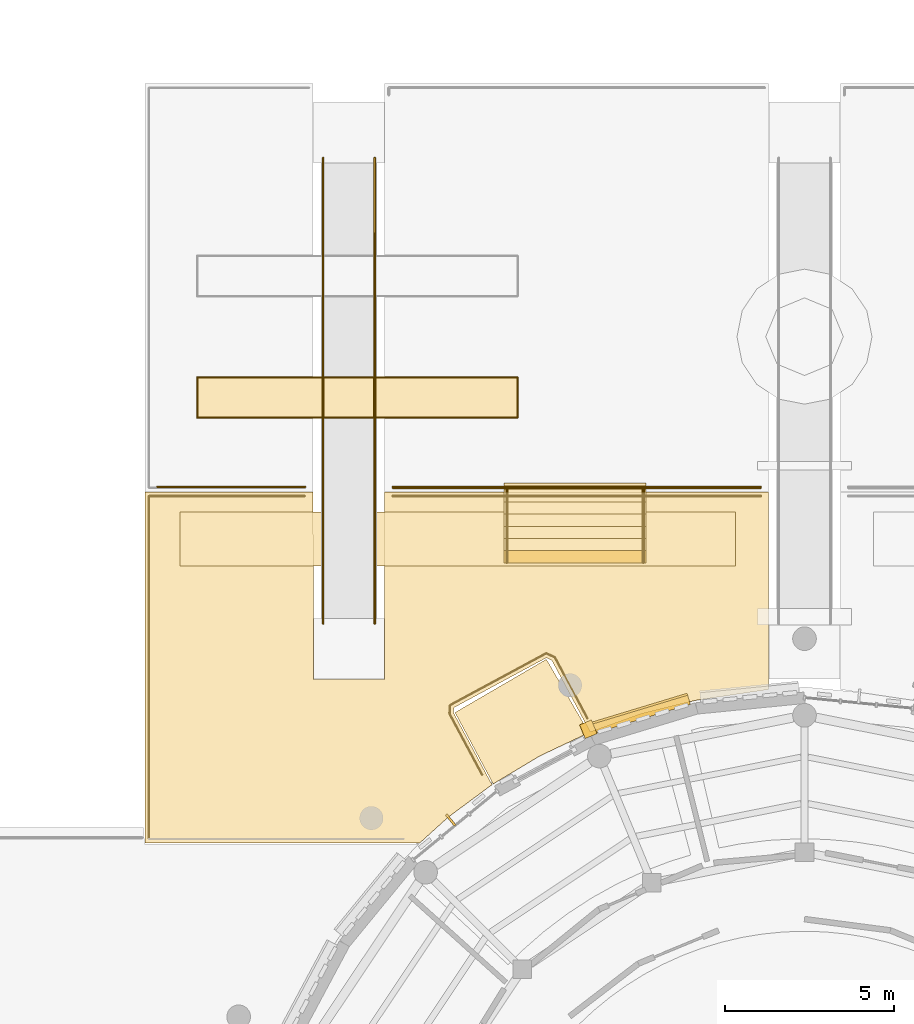
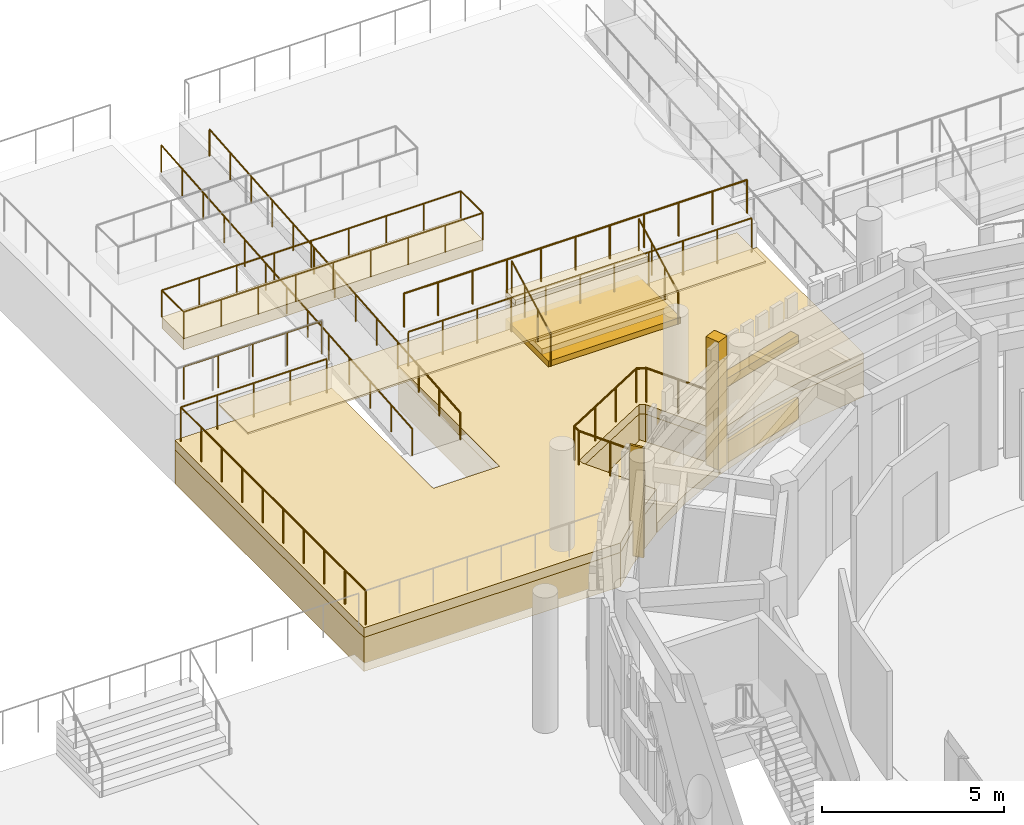
# One storey, part 78 of 94: 14 coverings, 11 railings, 1 shading device.
"""IFC4 building model written with IfcOpenShell, lengths in metres."""

from ifc_helpers import new_model, si_unit, direction, frame, origin, origin_2d, place, context, subcontext, project, spatial, polyline, rectangle, circle, outline, extrude, material, layer, layer_set, type_object, element, save


model = new_model("IFC4")

# Units and contexts
model_context = context("Model", 3, precision=1e-05, world=origin(), true_north=direction((0.0, 1.0)))
body_context = subcontext(model_context, "Body", "Model", "MODEL_VIEW")
ifc_project = project(units=[si_unit("LENGTHUNIT", "METRE"), si_unit("AREAUNIT", "SQUARE_METRE"), si_unit("VOLUMEUNIT", "CUBIC_METRE"), si_unit("PLANEANGLEUNIT", "RADIAN"), si_unit("MASSUNIT", "GRAM", prefix="KILO")], contexts=[model_context])

# Site, building, storey
site_placement = place(None, origin())
site = spatial("IfcSite", under=ifc_project, at=site_placement, CompositionType="ELEMENT")
building_placement = place(site_placement, origin())
building = spatial("IfcBuilding", under=site, at=building_placement, Name="Aldenvaro Health Centre", CompositionType="ELEMENT")
storey_placement = place(building_placement, origin())
storey = spatial("IfcBuildingStorey", under=building, at=storey_placement, Name="L00", CompositionType="ELEMENT", Elevation=0.0)

# Coverings
ifc_material_1 = material(Name="Honed Sonoran Buff Limestone", Category="masonry")
ifc_layer_1 = layer(ifc_material_1, 0.280029296875, Name="Honed Sonoran Buff Limestone", Category="masonry")
ifc_layer_set_1 = layer_set([ifc_layer_1], Name="Honed Sonoran Buff Limestone")
covering_type_1 = type_object("IfcCoveringType", Name="COV-CRN-STN", PredefinedType="CLADDING", material=ifc_layer_set_1)
covering_1_placement = place(storey_placement, frame((82.1640625, 35.944091796875, 0.0), z_axis=(0.0, 0.0, 1.0), x_axis=(0.95697469172, 0.290171396605, 0.0)))
element("IfcCovering", 1, at=covering_1_placement, inside=storey, type_object=covering_type_1, Name="D1 L00 Rusticated Limestone Plinth 23.1", PredefinedType="CLADDING", context=body_context, shape_type="SweptSolid", body=[
    extrude(rectangle(XDim=2.93505859375, YDim=0.340087890625, at=origin_2d()), origin(), (0.0, 0.0, 1.0), 0.719970703125),
])
covering_2_placement = place(storey_placement, frame((82.173095703125, 35.9150390625, 2.5498046875), z_axis=(0.0, 0.0, 1.0), x_axis=(0.95697469172, 0.290171396605, 0.0)))
element("IfcCovering", 2, at=covering_2_placement, inside=storey, type_object=covering_type_1, Name="D1 L00 Rusticated Limestone Plinth 23.2", PredefinedType="CLADDING", context=body_context, shape_type="SweptSolid", body=[
    extrude(rectangle(XDim=2.93505859375, YDim=0.280029296875, at=origin_2d()), origin(), (0.0, 0.0, 1.0), 0.280029296875),
])
covering_3_placement = place(storey_placement, frame((80.593994140625, 35.466064453125, -0.00048828125), z_axis=(0.0, 0.0, 1.0), x_axis=(-0.382674902345, 0.923883065715, 0.0)))
element("IfcCovering", 3, at=covering_3_placement, inside=storey, type_object=covering_type_1, Name="D1 L00 Engaged Classical Limestone Pilaster 12", PredefinedType="CLADDING", context=body_context, shape_type="SweptSolid", body=[
    extrude(rectangle(XDim=0.43994140625, YDim=0.3798828125, at=origin_2d()), origin(), (0.0, 0.0, 1.0), 4.304931640625),
])
covering_4_placement = place(storey_placement, frame((0.0, 0.0, -0.320068359375)))
element("IfcCovering", 4, at=covering_4_placement, inside=storey, type_object=covering_type_1, Name="Lower Foothill Wing and Amphitheatre Court Terrace Rusticated Foothill Stone Plinth 4", PredefinedType="CLADDING", context=body_context, shape_type="SweptSolid", body=[
    extrude(outline(polyline([(67.449951171875, 32.10009765625), (67.449951171875, 42.5), (72.43994140625, 42.5), (72.449951171875, 36.93994140625), (74.55908203125, 36.946044921875), (74.56005859375, 42.5), (85.93994140625, 42.5), (85.93994140625, 36.64501953125), (83.75390625, 36.320068359375), (82.169921875, 35.923095703125), (80.64990234375, 35.3798828125), (79.511962890625, 37.509033203125), (79.35009765625, 37.5849609375), (76.60888671875, 36.10693359375), (76.60107421875, 35.952880859375), (77.739990234375, 33.823974609375), (76.444091796875, 32.863037109375), (75.60205078125, 32.10009765625), (67.449951171875, 32.10009765625)])), origin(), (0.0, 0.0, 1.0), 1.150146484375),
])
covering_5_placement = place(storey_placement, frame((0.0, 0.0, -0.320068359375)))
element("IfcCovering", 5, at=covering_5_placement, inside=storey, type_object=covering_type_1, Name="Classical Terrace Grand Stair GST-C3 Solid Stone Carriage", PredefinedType="CLADDING", context=body_context, shape_type="SweptSolid", body=[
    extrude(outline(polyline([(78.10009765625, 40.39990234375), (82.300048828125, 40.39990234375), (82.300048828125, 42.760009765625), (78.10009765625, 42.760009765625), (78.10009765625, 40.39990234375)])), origin(), (0.0, 0.0, 1.0), 1.662109375),
])
ifc_material_2 = material(Name="Rusticated Sonoran Planter Stone", Category="masonry")
ifc_layer_2 = layer(ifc_material_2, 0.3798828125, Name="Rusticated Sonoran Planter Stone", Category="masonry")
ifc_layer_set_2 = layer_set([ifc_layer_2], Name="Rusticated Sonoran Planter Stone")
covering_type_2 = type_object("IfcCoveringType", Name="COV-GDN-BED", PredefinedType="CLADDING", material=ifc_layer_set_2)
covering_6_placement = place(storey_placement, frame((0.0, 0.0, 2.300048828125)))
element("IfcCovering", 6, at=covering_6_placement, inside=storey, type_object=covering_type_2, Name="Sonoran Botanical Parterre Planter SW", PredefinedType="CLADDING", context=body_context, shape_type="SweptSolid", body=[
    extrude(outline(polyline([(78.5, 44.699951171875), (78.5, 45.89990234375), (69.0, 45.89990234375), (69.0, 44.699951171875), (78.5, 44.699951171875)])), origin(), (0.0, 0.0, 1.0), 0.3798828125),
])
ifc_material_3 = material(Name="Honed Arizona Limestone Walk", Category="masonry")
ifc_layer_3 = layer(ifc_material_3, 0.06005859375, Name="Honed Arizona Limestone Walk", Category="masonry")
ifc_layer_set_3 = layer_set([ifc_layer_3], Name="Honed Arizona Limestone Walk")
covering_type_3 = type_object("IfcCoveringType", Name="COV-GDN-PATH", PredefinedType="FLOORING", material=ifc_layer_set_3)
covering_7_placement = place(storey_placement, frame((0.0, 0.0, 2.300048828125)))
element("IfcCovering", 7, at=covering_7_placement, inside=storey, type_object=covering_type_3, Name="Therapy Garden Axial Promenade W", PredefinedType="FLOORING", context=body_context, shape_type="SweptSolid", body=[
    extrude(outline(polyline([(84.949951171875, 40.300048828125), (84.949951171875, 41.89990234375), (68.5, 41.89990234375), (68.5, 40.300048828125), (84.949951171875, 40.300048828125)])), origin(), (0.0, 0.0, 1.0), 0.06005859375),
])
ifc_material_4 = material(Name="Honed Sonoran Buff Travertine", Category="masonry")
ifc_layer_4 = layer(ifc_material_4, 0.320068359375, Name="Honed Sonoran Buff Travertine", Category="masonry")
ifc_layer_set_4 = layer_set([ifc_layer_4], Name="Honed Sonoran Buff Travertine")
covering_type_4 = type_object("IfcCoveringType", Name="COV-POD-320", PredefinedType="FLOORING", material=ifc_layer_set_4)
covering_8_placement = place(storey_placement, frame((0.0, 0.0, -0.320068359375)))
element("IfcCovering", 8, at=covering_8_placement, inside=storey, type_object=covering_type_4, Name="South Street Entrance Stylobate Forecourt Section 16", PredefinedType="FLOORING", context=body_context, shape_type="SweptSolid", body=[
    extrude(outline(polyline([(76.64208984375, 35.9619140625), (79.35107421875, 37.5400390625), (80.613037109375, 35.364013671875), (79.156005859375, 34.675048828125), (77.77294921875, 33.845947265625), (76.64208984375, 35.9619140625)])), origin(), (0.0, 0.0, 1.0), 0.320068359375),
])
covering_9_placement = place(storey_placement, frame((0.0, 0.0, 0.830078125)))
element("IfcCovering", 9, at=covering_9_placement, inside=storey, type_object=covering_type_4, Name="Lower Foothill Wing and Amphitheatre Court Terrace Coping Deck 4", PredefinedType="FLOORING", context=body_context, shape_type="SweptSolid", body=[
    extrude(outline(polyline([(67.449951171875, 32.10009765625), (67.449951171875, 42.5), (72.43994140625, 42.5), (72.449951171875, 36.93994140625), (74.55908203125, 36.946044921875), (74.56005859375, 42.5), (85.93994140625, 42.5), (85.93994140625, 36.64501953125), (83.75390625, 36.320068359375), (82.169921875, 35.923095703125), (80.64990234375, 35.3798828125), (79.511962890625, 37.509033203125), (79.35009765625, 37.5849609375), (76.60888671875, 36.10693359375), (76.60107421875, 35.952880859375), (77.739990234375, 33.823974609375), (76.444091796875, 32.863037109375), (75.60205078125, 32.10009765625), (67.449951171875, 32.10009765625)])), origin(), (0.0, 0.0, 1.0), 0.31982421875),
])
covering_10_placement = place(storey_placement, frame((0.0, 0.0, 1.342041015625)))
element("IfcCovering", 10, at=covering_10_placement, inside=storey, type_object=covering_type_4, Name="Classical Terrace Grand Stair GST-C3 Stone Step 2", PredefinedType="FLOORING", context=body_context, shape_type="SweptSolid", body=[
    extrude(outline(polyline([(78.10009765625, 40.760009765625), (82.300048828125, 40.760009765625), (82.300048828125, 42.760009765625), (78.10009765625, 42.760009765625), (78.10009765625, 40.760009765625)])), origin(), (0.0, 0.0, 1.0), 0.19091796875),
])
covering_11_placement = place(storey_placement, frame((0.0, 0.0, 1.532958984375)))
element("IfcCovering", 11, at=covering_11_placement, inside=storey, type_object=covering_type_4, Name="Classical Terrace Grand Stair GST-C3 Stone Step 3", PredefinedType="FLOORING", context=body_context, shape_type="SweptSolid", body=[
    extrude(outline(polyline([(78.10009765625, 41.1201171875), (82.300048828125, 41.1201171875), (82.300048828125, 42.760009765625), (78.10009765625, 42.760009765625), (78.10009765625, 41.1201171875)])), origin(), (0.0, 0.0, 1.0), 0.192138671875),
])
covering_12_placement = place(storey_placement, frame((0.0, 0.0, 1.72509765625)))
element("IfcCovering", 12, at=covering_12_placement, inside=storey, type_object=covering_type_4, Name="Classical Terrace Grand Stair GST-C3 Stone Step 4", PredefinedType="FLOORING", context=body_context, shape_type="SweptSolid", body=[
    extrude(outline(polyline([(78.10009765625, 41.47998046875), (82.300048828125, 41.47998046875), (82.300048828125, 42.760009765625), (78.10009765625, 42.760009765625), (78.10009765625, 41.47998046875)])), origin(), (0.0, 0.0, 1.0), 0.19189453125),
])
covering_13_placement = place(storey_placement, frame((0.0, 0.0, 1.9169921875)))
element("IfcCovering", 13, at=covering_13_placement, inside=storey, type_object=covering_type_4, Name="Classical Terrace Grand Stair GST-C3 Stone Step 5", PredefinedType="FLOORING", context=body_context, shape_type="SweptSolid", body=[
    extrude(outline(polyline([(78.10009765625, 41.840087890625), (82.300048828125, 41.840087890625), (82.300048828125, 42.760009765625), (78.10009765625, 42.760009765625), (78.10009765625, 41.840087890625)])), origin(), (0.0, 0.0, 1.0), 0.19091796875),
])
covering_14_placement = place(storey_placement, frame((0.0, 0.0, 2.10791015625)))
element("IfcCovering", 14, at=covering_14_placement, inside=storey, type_object=covering_type_4, Name="Classical Terrace Grand Stair GST-C3 Stone Step 6", PredefinedType="FLOORING", context=body_context, shape_type="SweptSolid", body=[
    extrude(outline(polyline([(78.10009765625, 42.199951171875), (82.300048828125, 42.199951171875), (82.300048828125, 42.760009765625), (78.10009765625, 42.760009765625), (78.10009765625, 42.199951171875)])), origin(), (0.0, 0.0, 1.0), 0.192138671875),
])

# Railings
ifc_material_5 = material(Name="Painted Architectural Steel", Category="steel")
railing_type_1 = type_object("IfcRailingType", Name="RL-BAL-110", PredefinedType="GUARDRAIL", material=ifc_material_5)
railing_1_placement = place(storey_placement, frame((67.823974609375, 42.64990234375, 2.300048828125)))
element("IfcRailing", 15, at=railing_1_placement, inside=storey, type_object=railing_type_1, Name="Stepped Garden Terrace Balustrade T3N-1", PredefinedType="GUARDRAIL", context=body_context, shape_type="SweptSolid", body=[
    extrude(circle(Radius=0.02392578125, at=origin_2d()), frame((0.0, 0.0, 1.09619140625), z_axis=(1.0, 0.0, 0.0), x_axis=(0.0, 1.0, 0.0)), (0.0, 0.0, 1.0), 4.3759765625),
    extrude(circle(Radius=0.02099609375, at=origin_2d()), origin(), (0.0, 0.0, 1.0), 1.072021484375),
    extrude(circle(Radius=0.02099609375, at=origin_2d()), frame((1.093994140625, 0.0, 0.0)), (0.0, 0.0, 1.0), 1.072021484375),
    extrude(circle(Radius=0.02099609375, at=origin_2d()), frame((2.18798828125, 0.0, 0.0)), (0.0, 0.0, 1.0), 1.072021484375),
    extrude(circle(Radius=0.02099609375, at=origin_2d()), frame((3.281982421875, 0.0, 0.0)), (0.0, 0.0, 1.0), 1.072021484375),
    extrude(circle(Radius=0.02099609375, at=origin_2d()), frame((4.3759765625, 0.0, 0.0)), (0.0, 0.0, 1.0), 1.072021484375),
])
railing_2_placement = place(storey_placement, frame((74.800048828125, 42.64990234375, 2.300048828125)))
element("IfcRailing", 16, at=railing_2_placement, inside=storey, type_object=railing_type_1, Name="Stepped Garden Terrace Balustrade T3N-2", PredefinedType="GUARDRAIL", context=body_context, shape_type="SweptSolid", body=[
    extrude(circle(Radius=0.02392578125, at=origin_2d()), frame((0.0, 0.0, 1.09619140625), z_axis=(1.0, 0.0, 0.0), x_axis=(0.0, 1.0, 0.0)), (0.0, 0.0, 1.0), 10.89990234375),
    extrude(circle(Radius=0.02099609375, at=origin_2d()), origin(), (0.0, 0.0, 1.0), 1.072021484375),
    extrude(circle(Radius=0.02099609375, at=origin_2d()), frame((1.090087890625, 0.0, 0.0)), (0.0, 0.0, 1.0), 1.072021484375),
    extrude(circle(Radius=0.02099609375, at=origin_2d()), frame((2.179931640625, 0.0, 0.0)), (0.0, 0.0, 1.0), 1.072021484375),
    extrude(circle(Radius=0.02099609375, at=origin_2d()), frame((3.27001953125, 0.0, 0.0)), (0.0, 0.0, 1.0), 1.072021484375),
    extrude(circle(Radius=0.02099609375, at=origin_2d()), frame((4.35986328125, 0.0, 0.0)), (0.0, 0.0, 1.0), 1.072021484375),
    extrude(circle(Radius=0.02099609375, at=origin_2d()), frame((5.449951171875, 0.0, 0.0)), (0.0, 0.0, 1.0), 1.072021484375),
    extrude(circle(Radius=0.02099609375, at=origin_2d()), frame((6.5400390625, 0.0, 0.0)), (0.0, 0.0, 1.0), 1.072021484375),
    extrude(circle(Radius=0.02099609375, at=origin_2d()), frame((7.6298828125, 0.0, 0.0)), (0.0, 0.0, 1.0), 1.072021484375),
    extrude(circle(Radius=0.02099609375, at=origin_2d()), frame((8.719970703125, 0.0, 0.0)), (0.0, 0.0, 1.0), 1.072021484375),
    extrude(circle(Radius=0.02099609375, at=origin_2d()), frame((9.809814453125, 0.0, 0.0)), (0.0, 0.0, 1.0), 1.072021484375),
    extrude(circle(Radius=0.02099609375, at=origin_2d()), frame((10.89990234375, 0.0, 0.0)), (0.0, 0.0, 1.0), 1.072021484375),
])
for number, where, name in (
    (17, (78.179931640625, 40.39990234375, 1.14990234375), "Classical Terrace Grand Stair GST-C3 Balustrade W"),
    (18, (82.219970703125, 40.39990234375, 1.14990234375), "Classical Terrace Grand Stair GST-C3 Balustrade E"),
):
    element("IfcRailing", number, at=place(storey_placement, frame(where)), inside=storey, type_object=railing_type_1, Name=name, PredefinedType="GUARDRAIL", context=body_context, shape_type="SweptSolid", body=[
        extrude(circle(Radius=0.02392578125, at=origin_2d()), frame((0.0, 0.0, 1.076171875), z_axis=(0.0, 0.882681349023, 0.469971952447), x_axis=(-1.0, 0.0, 0.0)), (0.0, 0.0, 1.0), 2.447265625),
        extrude(circle(Radius=0.02099609375, at=origin_2d()), origin(), (0.0, 0.0, 1.0), 1.052001953125),
        extrude(circle(Radius=0.02099609375, at=origin_2d()), frame((0.0, 0.719970703125, 0.38330078125)), (0.0, 0.0, 1.0), 1.052001953125),
        extrude(circle(Radius=0.02099609375, at=origin_2d()), frame((0.0, 1.440185546875, 0.766845703125)), (0.0, 0.0, 1.0), 1.052001953125),
        extrude(circle(Radius=0.02099609375, at=origin_2d()), frame((0.0, 2.16015625, 1.150146484375)), (0.0, 0.0, 1.0), 1.052001953125),
    ])
railing_type_2 = type_object("IfcRailingType", Name="RL-BAL-115", PredefinedType="GUARDRAIL", material=ifc_material_5)
railing_3_placement = place(storey_placement, frame((67.570068359375, 32.219970703125, 1.14990234375)))
element("IfcRailing", 19, at=railing_3_placement, inside=storey, type_object=railing_type_2, Name="Lower Foothill Wing and Amphitheatre Court Terrace Classical Balustrade 6", PredefinedType="GUARDRAIL", context=body_context, shape_type="SweptSolid", body=[
    extrude(circle(Radius=0.02392578125, at=origin_2d()), frame((0.0, 0.0, 1.1357421875), z_axis=(0.0, 1.0, 0.0), x_axis=(-1.0, 0.0, 0.0)), (0.0, 0.0, 1.0), 10.159912109375),
    extrude(circle(Radius=0.02392578125, at=origin_2d()), frame((0.0, 10.159912109375, 1.1357421875), z_axis=(1.0, 0.0, 0.0), x_axis=(0.0, 1.0, 0.0)), (0.0, 0.0, 1.0), 4.6298828125),
    extrude(circle(Radius=0.02099609375, at=origin_2d()), origin(), (0.0, 0.0, 1.0), 1.11181640625),
    extrude(circle(Radius=0.02099609375, at=origin_2d()), frame((0.0, 1.12890625, 0.0)), (0.0, 0.0, 1.0), 1.11181640625),
    extrude(circle(Radius=0.02099609375, at=origin_2d()), frame((0.0, 2.2578125, 0.0)), (0.0, 0.0, 1.0), 1.11181640625),
    extrude(circle(Radius=0.02099609375, at=origin_2d()), frame((0.0, 3.38671875, 0.0)), (0.0, 0.0, 1.0), 1.11181640625),
    extrude(circle(Radius=0.02099609375, at=origin_2d()), frame((0.0, 4.515625, 0.0)), (0.0, 0.0, 1.0), 1.11181640625),
    extrude(circle(Radius=0.02099609375, at=origin_2d()), frame((0.0, 5.644287109375, 0.0)), (0.0, 0.0, 1.0), 1.11181640625),
    extrude(circle(Radius=0.02099609375, at=origin_2d()), frame((0.0, 6.773193359375, 0.0)), (0.0, 0.0, 1.0), 1.11181640625),
    extrude(circle(Radius=0.02099609375, at=origin_2d()), frame((0.0, 7.902099609375, 0.0)), (0.0, 0.0, 1.0), 1.11181640625),
    extrude(circle(Radius=0.02099609375, at=origin_2d()), frame((0.0, 9.031005859375, 0.0)), (0.0, 0.0, 1.0), 1.11181640625),
    extrude(circle(Radius=0.02099609375, at=origin_2d()), frame((0.0, 10.159912109375, 0.0)), (0.0, 0.0, 1.0), 1.11181640625),
    extrude(circle(Radius=0.02099609375, at=origin_2d()), frame((1.157470703125, 10.159912109375, 0.0)), (0.0, 0.0, 1.0), 1.11181640625),
    extrude(circle(Radius=0.02099609375, at=origin_2d()), frame((2.31494140625, 10.159912109375, 0.0)), (0.0, 0.0, 1.0), 1.11181640625),
    extrude(circle(Radius=0.02099609375, at=origin_2d()), frame((3.472412109375, 10.159912109375, 0.0)), (0.0, 0.0, 1.0), 1.11181640625),
    extrude(circle(Radius=0.02099609375, at=origin_2d()), frame((4.6298828125, 10.159912109375, 0.0)), (0.0, 0.0, 1.0), 1.11181640625),
])
railing_4_placement = place(storey_placement, frame((74.800048828125, 42.3798828125, 1.14990234375)))
element("IfcRailing", 20, at=railing_4_placement, inside=storey, type_object=railing_type_2, Name="Lower Foothill Wing and Amphitheatre Court Terrace Classical Balustrade 7", PredefinedType="GUARDRAIL", context=body_context, shape_type="SweptSolid", body=[
    extrude(circle(Radius=0.02392578125, at=origin_2d()), frame((0.0, 0.0, 1.1357421875), z_axis=(1.0, 0.0, 0.0), x_axis=(0.0, 1.0, 0.0)), (0.0, 0.0, 1.0), 10.89990234375),
    extrude(circle(Radius=0.02099609375, at=origin_2d()), origin(), (0.0, 0.0, 1.0), 1.11181640625),
    extrude(circle(Radius=0.02099609375, at=origin_2d()), frame((1.090087890625, 0.0, 0.0)), (0.0, 0.0, 1.0), 1.11181640625),
    extrude(circle(Radius=0.02099609375, at=origin_2d()), frame((2.179931640625, 0.0, 0.0)), (0.0, 0.0, 1.0), 1.11181640625),
    extrude(circle(Radius=0.02099609375, at=origin_2d()), frame((3.27001953125, 0.0, 0.0)), (0.0, 0.0, 1.0), 1.11181640625),
    extrude(circle(Radius=0.02099609375, at=origin_2d()), frame((4.35986328125, 0.0, 0.0)), (0.0, 0.0, 1.0), 1.11181640625),
    extrude(circle(Radius=0.02099609375, at=origin_2d()), frame((5.449951171875, 0.0, 0.0)), (0.0, 0.0, 1.0), 1.11181640625),
    extrude(circle(Radius=0.02099609375, at=origin_2d()), frame((6.5400390625, 0.0, 0.0)), (0.0, 0.0, 1.0), 1.11181640625),
    extrude(circle(Radius=0.02099609375, at=origin_2d()), frame((7.6298828125, 0.0, 0.0)), (0.0, 0.0, 1.0), 1.11181640625),
    extrude(circle(Radius=0.02099609375, at=origin_2d()), frame((8.719970703125, 0.0, 0.0)), (0.0, 0.0, 1.0), 1.11181640625),
    extrude(circle(Radius=0.02099609375, at=origin_2d()), frame((9.809814453125, 0.0, 0.0)), (0.0, 0.0, 1.0), 1.11181640625),
    extrude(circle(Radius=0.02099609375, at=origin_2d()), frame((10.89990234375, 0.0, 0.0)), (0.0, 0.0, 1.0), 1.11181640625),
])
railing_5_placement = place(storey_placement, frame((80.569091796875, 35.785888671875, 1.14990234375)))
element("IfcRailing", 21, at=railing_5_placement, inside=storey, type_object=railing_type_2, Name="Lower Foothill Wing and Amphitheatre Court Terrace Classical Balustrade 8", PredefinedType="GUARDRAIL", context=body_context, shape_type="SweptSolid", body=[
    extrude(circle(Radius=0.02392578125, at=origin_2d()), frame((0.0, 0.0, 1.1357421875), z_axis=(-0.471296138091, 0.881975028116, 0.0), x_axis=(-0.881975028116, -0.471296138091, 0.0)), (0.0, 0.0, 1.0), 2.05810546875),
    extrude(circle(Radius=0.02392578125, at=origin_2d()), frame((-0.969970703125, 1.815185546875, 1.1357421875), z_axis=(-0.906495545208, 0.422215379301, 0.0), x_axis=(-0.422215379301, -0.906495545208, 0.0)), (0.0, 0.0, 1.0), 0.279296875),
    extrude(circle(Radius=0.02392578125, at=origin_2d()), frame((-1.22314453125, 1.93310546875, 1.1357421875), z_axis=(-0.88023396177, -0.474539958852, 0.0), x_axis=(0.474539958852, -0.88023396177, 0.0)), (0.0, 0.0, 1.0), 3.2412109375),
    extrude(circle(Radius=0.02392578125, at=origin_2d()), frame((-4.076171875, 0.39501953125, 1.1357421875), z_axis=(-0.05451650724, -0.998512869441, 0.0), x_axis=(0.998512869441, -0.05451650724, 0.0)), (0.0, 0.0, 1.0), 0.25537109375),
    extrude(circle(Radius=0.02392578125, at=origin_2d()), frame((-4.090087890625, 0.14013671875, 1.1357421875), z_axis=(0.471792099223, -0.881709824778, 0.0), x_axis=(0.881709824778, 0.471792099223, 0.0)), (0.0, 0.0, 1.0), 2.0517578125),
    extrude(circle(Radius=0.02099609375, at=origin_2d()), origin(), (0.0, 0.0, 1.0), 1.11181640625),
    extrude(circle(Radius=0.02099609375, at=origin_2d()), frame((-0.48486328125, 0.90771484375, 0.0)), (0.0, 0.0, 1.0), 1.11181640625),
    extrude(circle(Radius=0.02099609375, at=origin_2d()), frame((-0.969970703125, 1.815185546875, 0.0)), (0.0, 0.0, 1.0), 1.11181640625),
    extrude(circle(Radius=0.02099609375, at=origin_2d()), frame((-1.22314453125, 1.93310546875, 0.0)), (0.0, 0.0, 1.0), 1.11181640625),
    extrude(circle(Radius=0.02099609375, at=origin_2d()), frame((-2.174072265625, 1.42041015625, 0.0)), (0.0, 0.0, 1.0), 1.11181640625),
    extrude(circle(Radius=0.02099609375, at=origin_2d()), frame((-3.125244140625, 0.90771484375, 0.0)), (0.0, 0.0, 1.0), 1.11181640625),
    extrude(circle(Radius=0.02099609375, at=origin_2d()), frame((-4.076171875, 0.39501953125, 0.0)), (0.0, 0.0, 1.0), 1.11181640625),
    extrude(circle(Radius=0.02099609375, at=origin_2d()), frame((-4.090087890625, 0.14013671875, 0.0)), (0.0, 0.0, 1.0), 1.11181640625),
    extrude(circle(Radius=0.02099609375, at=origin_2d()), frame((-3.60595703125, -0.764404296875, 0.0)), (0.0, 0.0, 1.0), 1.11181640625),
    extrude(circle(Radius=0.02099609375, at=origin_2d()), frame((-3.1220703125, -1.6689453125, 0.0)), (0.0, 0.0, 1.0), 1.11181640625),
])
railing_6_placement = place(storey_placement, frame((85.699951171875, 42.6201171875, 2.300048828125)))
element("IfcRailing", 22, at=railing_6_placement, inside=storey, type_object=railing_type_2, Name="Upper Amphitheatre Therapy Garden Terrace Classical Balustrade 25", PredefinedType="GUARDRAIL", context=body_context, shape_type="SweptSolid", body=[
    extrude(circle(Radius=0.02392578125, at=origin_2d()), frame((0.0, 0.0, 1.1357421875), z_axis=(-1.0, 0.0, 0.0), x_axis=(0.0, -1.0, 0.0)), (0.0, 0.0, 1.0), 10.89990234375),
    extrude(circle(Radius=0.02099609375, at=origin_2d()), origin(), (0.0, 0.0, 1.0), 1.11181640625),
    extrude(circle(Radius=0.02099609375, at=origin_2d()), frame((-1.090087890625, 0.0, 0.0)), (0.0, 0.0, 1.0), 1.11181640625),
    extrude(circle(Radius=0.02099609375, at=origin_2d()), frame((-2.179931640625, 0.0, 0.0)), (0.0, 0.0, 1.0), 1.11181640625),
    extrude(circle(Radius=0.02099609375, at=origin_2d()), frame((-3.27001953125, 0.0, 0.0)), (0.0, 0.0, 1.0), 1.11181640625),
    extrude(circle(Radius=0.02099609375, at=origin_2d()), frame((-4.35986328125, 0.0, 0.0)), (0.0, 0.0, 1.0), 1.11181640625),
    extrude(circle(Radius=0.02099609375, at=origin_2d()), frame((-5.449951171875, 0.0, 0.0)), (0.0, 0.0, 1.0), 1.11181640625),
    extrude(circle(Radius=0.02099609375, at=origin_2d()), frame((-6.5400390625, 0.0, 0.0)), (0.0, 0.0, 1.0), 1.11181640625),
    extrude(circle(Radius=0.02099609375, at=origin_2d()), frame((-7.6298828125, 0.0, 0.0)), (0.0, 0.0, 1.0), 1.11181640625),
    extrude(circle(Radius=0.02099609375, at=origin_2d()), frame((-8.719970703125, 0.0, 0.0)), (0.0, 0.0, 1.0), 1.11181640625),
    extrude(circle(Radius=0.02099609375, at=origin_2d()), frame((-9.809814453125, 0.0, 0.0)), (0.0, 0.0, 1.0), 1.11181640625),
    extrude(circle(Radius=0.02099609375, at=origin_2d()), frame((-10.89990234375, 0.0, 0.0)), (0.0, 0.0, 1.0), 1.11181640625),
])
railing_type_3 = type_object("IfcRailingType", Name="RL-HND-092", PredefinedType="HANDRAIL", material=ifc_material_5)
railing_7_placement = place(storey_placement, frame((78.5, 44.699951171875, 2.679931640625)))
element("IfcRailing", 23, at=railing_7_placement, inside=storey, type_object=railing_type_3, Name="Sonoran Parterre Planter Rail SW", PredefinedType="HANDRAIL", context=body_context, shape_type="SweptSolid", body=[
    extrude(circle(Radius=0.02392578125, at=origin_2d()), frame((0.0, 0.0, 0.89599609375), z_axis=(0.0, 1.0, 0.0), x_axis=(-1.0, 0.0, 0.0)), (0.0, 0.0, 1.0), 1.199951171875),
    extrude(circle(Radius=0.02392578125, at=origin_2d()), frame((0.0, 1.199951171875, 0.89599609375), z_axis=(-1.0, 0.0, 0.0), x_axis=(0.0, -1.0, 0.0)), (0.0, 0.0, 1.0), 9.5),
    extrude(circle(Radius=0.02392578125, at=origin_2d()), frame((-9.5, 1.199951171875, 0.89599609375), z_axis=(0.0, -1.0, 0.0), x_axis=(1.0, 0.0, 0.0)), (0.0, 0.0, 1.0), 1.199951171875),
    extrude(circle(Radius=0.02392578125, at=origin_2d()), frame((-9.5, 0.0, 0.89599609375), z_axis=(1.0, 0.0, 0.0), x_axis=(0.0, 1.0, 0.0)), (0.0, 0.0, 1.0), 9.5),
    extrude(circle(Radius=0.02099609375, at=origin_2d()), origin(), (0.0, 0.0, 1.0), 0.871826171875),
    extrude(circle(Radius=0.02099609375, at=origin_2d()), frame((0.0, 1.199951171875, 0.0)), (0.0, 0.0, 1.0), 0.871826171875),
    extrude(circle(Radius=0.02099609375, at=origin_2d()), frame((-1.1875, 1.199951171875, 0.0)), (0.0, 0.0, 1.0), 0.871826171875),
    extrude(circle(Radius=0.02099609375, at=origin_2d()), frame((-2.375, 1.199951171875, 0.0)), (0.0, 0.0, 1.0), 0.871826171875),
    extrude(circle(Radius=0.02099609375, at=origin_2d()), frame((-3.5625, 1.199951171875, 0.0)), (0.0, 0.0, 1.0), 0.871826171875),
    extrude(circle(Radius=0.02099609375, at=origin_2d()), frame((-4.75, 1.199951171875, 0.0)), (0.0, 0.0, 1.0), 0.871826171875),
    extrude(circle(Radius=0.02099609375, at=origin_2d()), frame((-5.9375, 1.199951171875, 0.0)), (0.0, 0.0, 1.0), 0.871826171875),
    extrude(circle(Radius=0.02099609375, at=origin_2d()), frame((-7.125, 1.199951171875, 0.0)), (0.0, 0.0, 1.0), 0.871826171875),
    extrude(circle(Radius=0.02099609375, at=origin_2d()), frame((-8.3125, 1.199951171875, 0.0)), (0.0, 0.0, 1.0), 0.871826171875),
    extrude(circle(Radius=0.02099609375, at=origin_2d()), frame((-9.5, 1.199951171875, 0.0)), (0.0, 0.0, 1.0), 0.871826171875),
    extrude(circle(Radius=0.02099609375, at=origin_2d()), frame((-9.5, 0.0, 0.0)), (0.0, 0.0, 1.0), 0.871826171875),
    extrude(circle(Radius=0.02099609375, at=origin_2d()), frame((-8.3125, 0.0, 0.0)), (0.0, 0.0, 1.0), 0.871826171875),
    extrude(circle(Radius=0.02099609375, at=origin_2d()), frame((-7.125, 0.0, 0.0)), (0.0, 0.0, 1.0), 0.871826171875),
    extrude(circle(Radius=0.02099609375, at=origin_2d()), frame((-5.9375, 0.0, 0.0)), (0.0, 0.0, 1.0), 0.871826171875),
    extrude(circle(Radius=0.02099609375, at=origin_2d()), frame((-4.75, 0.0, 0.0)), (0.0, 0.0, 1.0), 0.871826171875),
    extrude(circle(Radius=0.02099609375, at=origin_2d()), frame((-3.5625, 0.0, 0.0)), (0.0, 0.0, 1.0), 0.871826171875),
    extrude(circle(Radius=0.02099609375, at=origin_2d()), frame((-2.375, 0.0, 0.0)), (0.0, 0.0, 1.0), 0.871826171875),
    extrude(circle(Radius=0.02099609375, at=origin_2d()), frame((-1.1875, 0.0, 0.0)), (0.0, 0.0, 1.0), 0.871826171875),
])
railing_8_placement = place(storey_placement, frame((72.735107421875, 38.60009765625, 1.14990234375)))
element("IfcRailing", 24, at=railing_8_placement, inside=storey, type_object=railing_type_3, Name="Stepped Foothill Ramp 4 Handrail L", PredefinedType="HANDRAIL", context=body_context, shape_type="SweptSolid", body=[
    extrude(circle(Radius=0.02392578125, at=origin_2d()), frame((0.0, 0.0, 0.89599609375), z_axis=(0.0, 0.996544785461, 0.083057152436), x_axis=(-1.0, 0.0, 0.0)), (0.0, 0.0, 1.0), 13.84765625),
    extrude(circle(Radius=0.02099609375, at=origin_2d()), origin(), (0.0, 0.0, 1.0), 0.871826171875),
    extrude(circle(Radius=0.02099609375, at=origin_2d()), frame((0.0, 1.14990234375, 0.095947265625)), (0.0, 0.0, 1.0), 0.871826171875),
    extrude(circle(Radius=0.02099609375, at=origin_2d()), frame((0.0, 2.300048828125, 0.191650390625)), (0.0, 0.0, 1.0), 0.871826171875),
    extrude(circle(Radius=0.02099609375, at=origin_2d()), frame((0.0, 3.449951171875, 0.28759765625)), (0.0, 0.0, 1.0), 0.871826171875),
    extrude(circle(Radius=0.02099609375, at=origin_2d()), frame((0.0, 4.599853515625, 0.38330078125)), (0.0, 0.0, 1.0), 0.871826171875),
    extrude(circle(Radius=0.02099609375, at=origin_2d()), frame((0.0, 5.75, 0.479248046875)), (0.0, 0.0, 1.0), 0.871826171875),
    extrude(circle(Radius=0.02099609375, at=origin_2d()), frame((0.0, 6.89990234375, 0.5751953125)), (0.0, 0.0, 1.0), 0.871826171875),
    extrude(circle(Radius=0.02099609375, at=origin_2d()), frame((0.0, 8.0498046875, 0.6708984375)), (0.0, 0.0, 1.0), 0.871826171875),
    extrude(circle(Radius=0.02099609375, at=origin_2d()), frame((0.0, 9.199951171875, 0.766845703125)), (0.0, 0.0, 1.0), 0.871826171875),
    extrude(circle(Radius=0.02099609375, at=origin_2d()), frame((0.0, 10.349853515625, 0.862548828125)), (0.0, 0.0, 1.0), 0.871826171875),
    extrude(circle(Radius=0.02099609375, at=origin_2d()), frame((0.0, 11.499755859375, 0.95849609375)), (0.0, 0.0, 1.0), 0.871826171875),
    extrude(circle(Radius=0.02099609375, at=origin_2d()), frame((0.0, 12.64990234375, 1.05419921875)), (0.0, 0.0, 1.0), 0.871826171875),
    extrude(circle(Radius=0.02099609375, at=origin_2d()), frame((0.0, 13.7998046875, 1.150146484375)), (0.0, 0.0, 1.0), 0.871826171875),
])
railing_9_placement = place(storey_placement, frame((74.264892578125, 38.60009765625, 1.14990234375)))
element("IfcRailing", 25, at=railing_9_placement, inside=storey, type_object=railing_type_3, Name="Stepped Foothill Ramp 4 Handrail R", PredefinedType="HANDRAIL", context=body_context, shape_type="SweptSolid", body=[
    extrude(circle(Radius=0.02392578125, at=origin_2d()), frame((0.0, 0.0, 0.89599609375), z_axis=(0.0, 0.996544785461, 0.083057152436), x_axis=(-1.0, 0.0, 0.0)), (0.0, 0.0, 1.0), 13.84765625),
    extrude(circle(Radius=0.02099609375, at=origin_2d()), origin(), (0.0, 0.0, 1.0), 0.871826171875),
    extrude(circle(Radius=0.02099609375, at=origin_2d()), frame((0.0, 1.14990234375, 0.095947265625)), (0.0, 0.0, 1.0), 0.871826171875),
    extrude(circle(Radius=0.02099609375, at=origin_2d()), frame((0.0, 2.300048828125, 0.191650390625)), (0.0, 0.0, 1.0), 0.871826171875),
    extrude(circle(Radius=0.02099609375, at=origin_2d()), frame((0.0, 3.449951171875, 0.28759765625)), (0.0, 0.0, 1.0), 0.871826171875),
    extrude(circle(Radius=0.02099609375, at=origin_2d()), frame((0.0, 4.599853515625, 0.38330078125)), (0.0, 0.0, 1.0), 0.871826171875),
    extrude(circle(Radius=0.02099609375, at=origin_2d()), frame((0.0, 5.75, 0.479248046875)), (0.0, 0.0, 1.0), 0.871826171875),
    extrude(circle(Radius=0.02099609375, at=origin_2d()), frame((0.0, 6.89990234375, 0.5751953125)), (0.0, 0.0, 1.0), 0.871826171875),
    extrude(circle(Radius=0.02099609375, at=origin_2d()), frame((0.0, 8.0498046875, 0.6708984375)), (0.0, 0.0, 1.0), 0.871826171875),
    extrude(circle(Radius=0.02099609375, at=origin_2d()), frame((0.0, 9.199951171875, 0.766845703125)), (0.0, 0.0, 1.0), 0.871826171875),
    extrude(circle(Radius=0.02099609375, at=origin_2d()), frame((0.0, 10.349853515625, 0.862548828125)), (0.0, 0.0, 1.0), 0.871826171875),
    extrude(circle(Radius=0.02099609375, at=origin_2d()), frame((0.0, 11.499755859375, 0.95849609375)), (0.0, 0.0, 1.0), 0.871826171875),
    extrude(circle(Radius=0.02099609375, at=origin_2d()), frame((0.0, 12.64990234375, 1.05419921875)), (0.0, 0.0, 1.0), 0.871826171875),
    extrude(circle(Radius=0.02099609375, at=origin_2d()), frame((0.0, 13.7998046875, 1.150146484375)), (0.0, 0.0, 1.0), 0.871826171875),
])

# Shading device
ifc_material_6 = material(Name="Douglas Fir Exterior Glulam GL28h", Category="wood")
shading_device_type = type_object("IfcShadingDeviceType", Name="SHD-FIN-400", PredefinedType="USERDEFINED", material=ifc_material_6)
shading_device_placement = place(storey_placement, frame((76.512939453125, 32.779052734375, -0.0205078125), z_axis=(0.0, 0.0, 1.0), x_axis=(0.773194586776, 0.634168850528, 0.0)))
element("IfcShadingDevice", 26, at=shading_device_placement, inside=storey, type_object=shading_device_type, Name="D1 L00 vertical timber fin 21.0", ObjectType="FIN", PredefinedType="USERDEFINED", context=body_context, shape_type="SweptSolid", body=[
    extrude(rectangle(XDim=0.06494140625, YDim=0.419921875, at=origin_2d()), origin(), (0.0, 0.0, 1.0), 3.698974609375),
])

save(model, "model.ifc")
